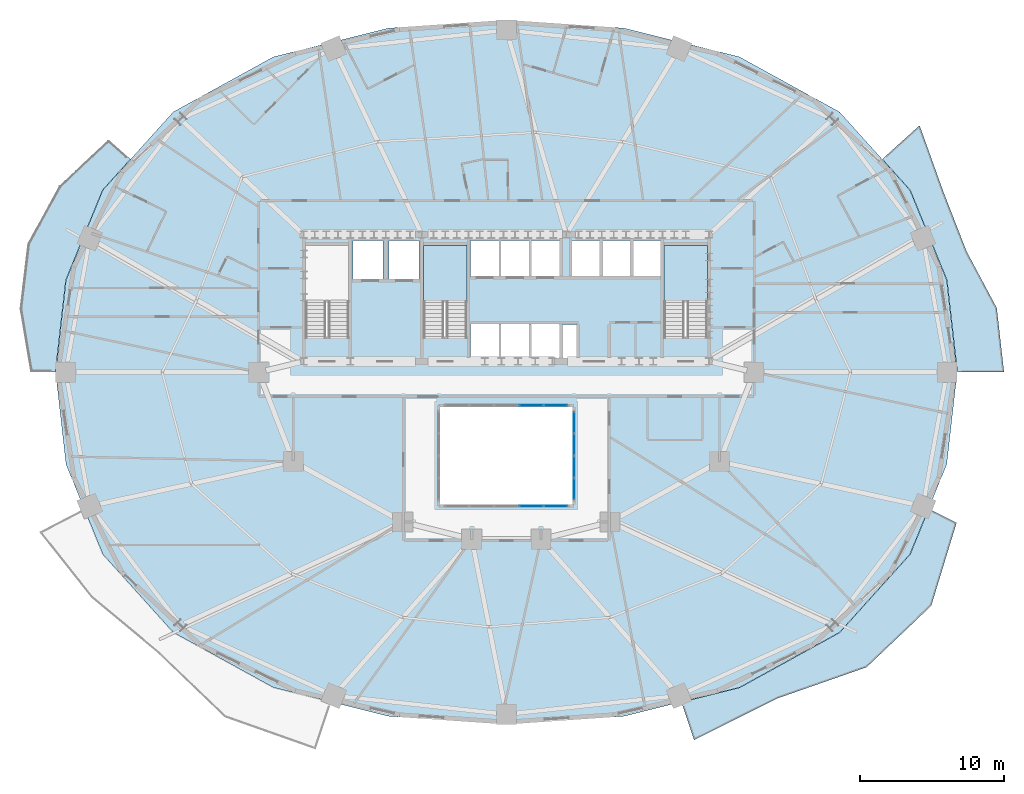
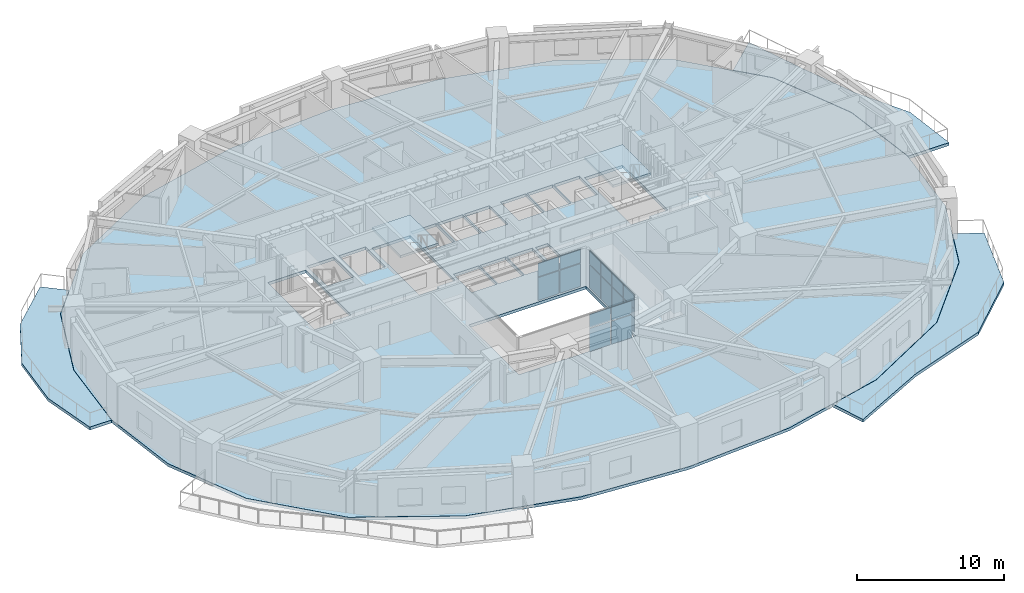
# One storey, part 8 of 17: 16 plates, 6 slabs, 5 elements without a shape of their own.
"""IFC4 building model written with IfcOpenShell, lengths in metres."""

from ifc_helpers import new_model, si_unit, direction, frame, origin, origin_2d, place, context, subcontext, project, spatial, polyline, rectangle, outline, extrude, material, layer, layer_set, type_object, element, aggregate, save


model = new_model("IFC4")

# Units and contexts
model_context = context("Model", 3, precision=1e-05, world=origin(), true_north=direction((0.0, 1.0)))
body_context = subcontext(model_context, "Body", "Model", "MODEL_VIEW")
ifc_project = project(units=[si_unit("LENGTHUNIT", "METRE"), si_unit("AREAUNIT", "SQUARE_METRE"), si_unit("VOLUMEUNIT", "CUBIC_METRE"), si_unit("PLANEANGLEUNIT", "RADIAN"), si_unit("MASSUNIT", "GRAM", prefix="KILO")], contexts=[model_context])

# Site, building, storey
site_placement = place(None, origin())
site = spatial("IfcSite", under=ifc_project, at=site_placement, CompositionType="ELEMENT")
building_placement = place(site_placement, origin())
building = spatial("IfcBuilding", under=site, at=building_placement, Name="Haldorwick Loom Tower", CompositionType="ELEMENT")
storey_placement = place(building_placement, frame((0.0, 0.0, 27.449951171875)))
storey = spatial("IfcBuildingStorey", under=building, at=storey_placement, Name="L06", CompositionType="ELEMENT", Elevation=27.449951171875)

# Curtain wall, plates
ifc_material_1 = material(Name="Thermally Broken Anodized Aluminium Curtain Wall Framing", Category="aluminium")
curtain_wall_type = type_object("IfcCurtainWallType", Name="ARC-CW-03", PredefinedType="NOTDEFINED", material=ifc_material_1)
curtain_wall_1_placement = place(storey_placement, origin())
curtain_wall_1 = element("IfcCurtainWall", 1, at=curtain_wall_1_placement, inside=storey, type_object=curtain_wall_type, Name="L06 Atrium Glazed Screen S", PredefinedType="NOTDEFINED")
ifc_material_2 = material(Name="Triple-Glazed Low-E Argon Insulated Glazing Unit", Category="glass")
ifc_layer_1 = layer(ifc_material_2, 0.04296875, Name="Triple-Glazed Low-E Argon Insulated Glazing Unit", Category="glass")
ifc_layer_set_1 = layer_set([ifc_layer_1], Name="Triple-Glazed Low-E Argon Insulated Glazing Unit")
plate_type = type_object("IfcPlateType", Name="ARC-CWP-03", PredefinedType="CURTAIN_PANEL", material=ifc_layer_set_1)
plate_1_placement = place(storey_placement, frame((39.423583984375, 16.699951171875, 0.066162109375), z_axis=(0.0, 0.0, 1.0), x_axis=(-1.0, 0.0, 0.0)))
plate_1 = element("IfcPlate", 2, at=plate_1_placement, type_object=plate_type, Name="CW-03 panel 1.1", PredefinedType="CURTAIN_PANEL", context=body_context, shape_type="SweptSolid", body=[
    extrude(rectangle(XDim=1.62109375, YDim=0.04296875, at=origin_2d()), origin(), (0.0, 0.0, 1.0), 1.90087890625),
])
plate_2_placement = place(storey_placement, frame((39.423583984375, 16.699951171875, 2.033203125), z_axis=(0.0, 0.0, 1.0), x_axis=(-1.0, 0.0, 0.0)))
plate_2 = element("IfcPlate", 3, at=plate_2_placement, type_object=plate_type, Name="CW-03 panel 1.2", PredefinedType="CURTAIN_PANEL", context=body_context, shape_type="SweptSolid", body=[
    extrude(rectangle(XDim=1.62109375, YDim=0.04296875, at=origin_2d()), origin(), (0.0, 0.0, 1.0), 1.111083984375),
])
plate_3_placement = place(storey_placement, frame((37.719970703125, 16.699951171875, 0.066162109375), z_axis=(0.0, 0.0, 1.0), x_axis=(-1.0, 0.0, 0.0)))
plate_3 = element("IfcPlate", 4, at=plate_3_placement, type_object=plate_type, Name="CW-03 panel 2.1", PredefinedType="CURTAIN_PANEL", context=body_context, shape_type="SweptSolid", body=[
    extrude(rectangle(XDim=1.654052734375, YDim=0.04296875, at=origin_2d()), origin(), (0.0, 0.0, 1.0), 1.90087890625),
])
plate_4_placement = place(storey_placement, frame((37.719970703125, 16.699951171875, 2.033203125), z_axis=(0.0, 0.0, 1.0), x_axis=(-1.0, 0.0, 0.0)))
plate_4 = element("IfcPlate", 5, at=plate_4_placement, type_object=plate_type, Name="CW-03 panel 2.2", PredefinedType="CURTAIN_PANEL", context=body_context, shape_type="SweptSolid", body=[
    extrude(rectangle(XDim=1.654052734375, YDim=0.04296875, at=origin_2d()), origin(), (0.0, 0.0, 1.0), 1.111083984375),
])
aggregate(curtain_wall_1, [plate_1, plate_2, plate_3, plate_4])

curtain_wall_2_placement = place(storey_placement, origin())
curtain_wall_2 = element("IfcCurtainWall", 6, at=curtain_wall_2_placement, inside=storey, type_object=curtain_wall_type, Name="L06 Atrium Glazed Screen N", PredefinedType="NOTDEFINED")
plate_5_placement = place(storey_placement, frame((37.719970703125, 23.699951171875, 0.066162109375), z_axis=(0.0, 0.0, 1.0), x_axis=(1.0, 0.0, 0.0)))
plate_5 = element("IfcPlate", 7, at=plate_5_placement, type_object=plate_type, Name="CW-03 panel 4.1", PredefinedType="CURTAIN_PANEL", context=body_context, shape_type="SweptSolid", body=[
    extrude(rectangle(XDim=1.654052734375, YDim=0.04296875, at=origin_2d()), origin(), (0.0, 0.0, 1.0), 1.90087890625),
])
plate_6_placement = place(storey_placement, frame((37.719970703125, 23.699951171875, 2.033203125), z_axis=(0.0, 0.0, 1.0), x_axis=(1.0, 0.0, 0.0)))
plate_6 = element("IfcPlate", 8, at=plate_6_placement, type_object=plate_type, Name="CW-03 panel 4.2", PredefinedType="CURTAIN_PANEL", context=body_context, shape_type="SweptSolid", body=[
    extrude(rectangle(XDim=1.654052734375, YDim=0.04296875, at=origin_2d()), origin(), (0.0, 0.0, 1.0), 1.111083984375),
])
plate_7_placement = place(storey_placement, frame((39.423583984375, 23.699951171875, 0.066162109375), z_axis=(0.0, 0.0, 1.0), x_axis=(1.0, 0.0, 0.0)))
plate_7 = element("IfcPlate", 9, at=plate_7_placement, type_object=plate_type, Name="CW-03 panel 5.1", PredefinedType="CURTAIN_PANEL", context=body_context, shape_type="SweptSolid", body=[
    extrude(rectangle(XDim=1.62109375, YDim=0.04296875, at=origin_2d()), origin(), (0.0, 0.0, 1.0), 1.90087890625),
])
plate_8_placement = place(storey_placement, frame((39.423583984375, 23.699951171875, 2.033203125), z_axis=(0.0, 0.0, 1.0), x_axis=(1.0, 0.0, 0.0)))
plate_8 = element("IfcPlate", 10, at=plate_8_placement, type_object=plate_type, Name="CW-03 panel 5.2", PredefinedType="CURTAIN_PANEL", context=body_context, shape_type="SweptSolid", body=[
    extrude(rectangle(XDim=1.62109375, YDim=0.04296875, at=origin_2d()), origin(), (0.0, 0.0, 1.0), 1.111083984375),
])
aggregate(curtain_wall_2, [plate_5, plate_6, plate_7, plate_8])

curtain_wall_3_placement = place(storey_placement, origin())
curtain_wall_3 = element("IfcCurtainWall", 11, at=curtain_wall_3_placement, inside=storey, type_object=curtain_wall_type, Name="L06 Atrium Glazed Screen E", PredefinedType="NOTDEFINED")
plate_9_placement = place(storey_placement, frame((40.699951171875, 22.508544921875, 0.066162109375), z_axis=(0.0, 0.0, 1.0), x_axis=(0.0, -1.0, 0.0)))
plate_9 = element("IfcPlate", 12, at=plate_9_placement, type_object=plate_type, Name="CW-03 panel 1.1", PredefinedType="CURTAIN_PANEL", context=body_context, shape_type="SweptSolid", body=[
    extrude(rectangle(XDim=1.450927734375, YDim=0.04296875, at=origin_2d()), origin(), (0.0, 0.0, 1.0), 1.90087890625),
])
plate_10_placement = place(storey_placement, frame((40.699951171875, 22.508544921875, 2.033203125), z_axis=(0.0, 0.0, 1.0), x_axis=(0.0, -1.0, 0.0)))
plate_10 = element("IfcPlate", 13, at=plate_10_placement, type_object=plate_type, Name="CW-03 panel 1.2", PredefinedType="CURTAIN_PANEL", context=body_context, shape_type="SweptSolid", body=[
    extrude(rectangle(XDim=1.450927734375, YDim=0.04296875, at=origin_2d()), origin(), (0.0, 0.0, 1.0), 1.111083984375),
])
plate_11_placement = place(storey_placement, frame((40.699951171875, 20.97509765625, 0.066162109375), z_axis=(0.0, 0.0, 1.0), x_axis=(0.0, -1.0, 0.0)))
plate_11 = element("IfcPlate", 14, at=plate_11_placement, type_object=plate_type, Name="CW-03 panel 2.1", PredefinedType="CURTAIN_PANEL", context=body_context, shape_type="SweptSolid", body=[
    extrude(rectangle(XDim=1.48388671875, YDim=0.04296875, at=origin_2d()), origin(), (0.0, 0.0, 1.0), 1.90087890625),
])
plate_12_placement = place(storey_placement, frame((40.699951171875, 20.97509765625, 2.033203125), z_axis=(0.0, 0.0, 1.0), x_axis=(0.0, -1.0, 0.0)))
plate_12 = element("IfcPlate", 15, at=plate_12_placement, type_object=plate_type, Name="CW-03 panel 2.2", PredefinedType="CURTAIN_PANEL", context=body_context, shape_type="SweptSolid", body=[
    extrude(rectangle(XDim=1.48388671875, YDim=0.04296875, at=origin_2d()), origin(), (0.0, 0.0, 1.0), 1.111083984375),
])
plate_13_placement = place(storey_placement, frame((40.699951171875, 19.425048828125, 0.066162109375), z_axis=(0.0, 0.0, 1.0), x_axis=(0.0, -1.0, 0.0)))
plate_13 = element("IfcPlate", 16, at=plate_13_placement, type_object=plate_type, Name="CW-03 panel 3.1", PredefinedType="CURTAIN_PANEL", context=body_context, shape_type="SweptSolid", body=[
    extrude(rectangle(XDim=1.48388671875, YDim=0.04296875, at=origin_2d()), origin(), (0.0, 0.0, 1.0), 1.90087890625),
])
plate_14_placement = place(storey_placement, frame((40.699951171875, 19.425048828125, 2.033203125), z_axis=(0.0, 0.0, 1.0), x_axis=(0.0, -1.0, 0.0)))
plate_14 = element("IfcPlate", 17, at=plate_14_placement, type_object=plate_type, Name="CW-03 panel 3.2", PredefinedType="CURTAIN_PANEL", context=body_context, shape_type="SweptSolid", body=[
    extrude(rectangle(XDim=1.48388671875, YDim=0.04296875, at=origin_2d()), origin(), (0.0, 0.0, 1.0), 1.111083984375),
])
plate_15_placement = place(storey_placement, frame((40.699951171875, 17.8916015625, 0.066162109375), z_axis=(0.0, 0.0, 1.0), x_axis=(0.0, -1.0, 0.0)))
plate_15 = element("IfcPlate", 18, at=plate_15_placement, type_object=plate_type, Name="CW-03 panel 4.1", PredefinedType="CURTAIN_PANEL", context=body_context, shape_type="SweptSolid", body=[
    extrude(rectangle(XDim=1.450927734375, YDim=0.04296875, at=origin_2d()), origin(), (0.0, 0.0, 1.0), 1.90087890625),
])
plate_16_placement = place(storey_placement, frame((40.699951171875, 17.8916015625, 2.033203125), z_axis=(0.0, 0.0, 1.0), x_axis=(0.0, -1.0, 0.0)))
plate_16 = element("IfcPlate", 19, at=plate_16_placement, type_object=plate_type, Name="CW-03 panel 4.2", PredefinedType="CURTAIN_PANEL", context=body_context, shape_type="SweptSolid", body=[
    extrude(rectangle(XDim=1.450927734375, YDim=0.04296875, at=origin_2d()), origin(), (0.0, 0.0, 1.0), 1.111083984375),
])
aggregate(curtain_wall_3, [plate_9, plate_10, plate_11, plate_12, plate_13, plate_14, plate_15, plate_16])

# Slabs
ifc_material_3 = material(Name="Concrete C40 (40 MPa)", Category="concrete")
ifc_layer_2 = layer(ifc_material_3, 0.239990234375, Name="Concrete C40 (40 MPa)", Category="concrete")
ifc_layer_set_2 = layer_set([ifc_layer_2], Name="Concrete C40 (40 MPa)")
slab_type_1 = type_object("IfcSlabType", Name="STR-SLB-BAL240", PredefinedType="FLOOR", material=ifc_layer_set_2)
slab_1_placement = place(storey_placement, frame((0.0, 0.0, -0.239990234375)))
element("IfcSlab", 20, at=slab_1_placement, inside=storey, type_object=slab_type_1, Name="L06 Sinusoidal Balcony Terrace BAL_SE", PredefinedType="FLOOR", context=body_context, shape_type="SweptSolid", body=[
    extrude(outline(polyline([(65.32470703125, 16.51806640625), (64.031494140625, 13.356689453125), (64.031005859375, 13.355712890625), (64.030517578125, 13.3544921875), (64.02978515625, 13.353515625), (64.02880859375, 13.3525390625), (59.13623046875, 7.92333984375), (59.13525390625, 7.922119140625), (59.1337890625, 7.921142578125), (59.13232421875, 7.92041015625), (52.18310546875, 4.09814453125), (52.18212890625, 4.097412109375), (52.180908203125, 4.096923828125), (52.1796875, 4.0966796875), (48.15234375, 3.091064453125), (49.03271484375, 0.4716796875), (54.848876953125, 3.368896484375), (61.010009765625, 5.52099609375), (65.49072265625, 9.7822265625), (67.24951171875, 15.539306640625), (65.32470703125, 16.51806640625)])), origin(), (0.0, 0.0, 1.0), 0.239990234375),
])
slab_2_placement = place(storey_placement, frame((0.0, 0.0, -0.239990234375)))
element("IfcSlab", 21, at=slab_2_placement, inside=storey, type_object=slab_type_1, Name="L06 Sinusoidal Balcony Terrace BAL_WNW", PredefinedType="FLOOR", context=body_context, shape_type="SweptSolid", body=[
    extrude(outline(polyline([(4.68896484375, 26.0), (4.689208984375, 26.001708984375), (5.41552734375, 32.40087890625), (5.415771484375, 32.40234375), (5.416015625, 32.40380859375), (5.41650390625, 32.405029296875), (7.968505859375, 38.643310546875), (7.968994140625, 38.644287109375), (7.969482421875, 38.6455078125), (7.97021484375, 38.646484375), (7.97119140625, 38.6474609375), (9.90087890625, 40.788818359375), (8.386474609375, 42.1318359375), (4.966552734375, 38.94482421875), (2.772216796875, 34.9208984375), (2.2333984375, 30.393310546875), (2.9775390625, 26.0), (4.68896484375, 26.0)])), origin(), (0.0, 0.0, 1.0), 0.239990234375),
])
slab_3_placement = place(storey_placement, frame((0.0, 0.0, -0.239990234375)))
element("IfcSlab", 22, at=slab_3_placement, inside=storey, type_object=slab_type_1, Name="L06 Sinusoidal Balcony Terrace BAL_ENE", PredefinedType="FLOOR", context=body_context, shape_type="SweptSolid", body=[
    extrude(outline(polyline([(62.098388671875, 40.789794921875), (64.02880859375, 38.6474609375), (64.02978515625, 38.646484375), (64.030517578125, 38.6455078125), (64.031005859375, 38.644287109375), (64.031494140625, 38.643310546875), (66.58349609375, 32.405029296875), (66.583984375, 32.40380859375), (66.584228515625, 32.40234375), (66.58447265625, 32.40087890625), (67.310791015625, 26.001708984375), (67.31103515625, 26.0), (70.5458984375, 26.0), (70.043701171875, 30.449462890625), (67.945556640625, 34.3876953125), (66.34619140625, 38.49658203125), (64.68408203125, 43.12744140625), (62.098388671875, 40.789794921875)])), origin(), (0.0, 0.0, 1.0), 0.239990234375),
])

# Stair, slab
stair_type = type_object("IfcStairType", Name="STR-STR-CORE", PredefinedType="HALF_TURN_STAIR", material=ifc_material_3)
stair_1_placement = place(storey_placement, origin())
stair_1 = element("IfcStair", 23, at=stair_1_placement, inside=storey, type_object=stair_type, Name="L06 Exit Stair ST-02", PredefinedType="HALF_TURN_STAIR")
ifc_layer_3 = layer(ifc_material_3, 0.199951171875, Name="Concrete C40 (40 MPa)", Category="concrete")
ifc_layer_set_3 = layer_set([ifc_layer_3], Name="Concrete C40 (40 MPa)")
slab_type_2 = type_object("IfcSlabType", Name="STR-SLB-LAND200", PredefinedType="LANDING", material=ifc_layer_set_3)
slab_4_placement = place(storey_placement, frame((0.0, 0.0, 1.525146484375)))
slab_4 = element("IfcSlab", 24, at=slab_4_placement, type_object=slab_type_2, Name="ST-02 landing 1", PredefinedType="LANDING", context=body_context, shape_type="SweptSolid", body=[
    extrude(outline(polyline([(49.949951171875, 30.919921875), (49.949951171875, 34.800048828125), (46.949951171875, 34.800048828125), (46.949951171875, 30.919921875), (49.949951171875, 30.919921875)])), origin(), (0.0, 0.0, 1.0), 0.199951171875),
])
aggregate(stair_1, [slab_4])

stair_2_placement = place(storey_placement, origin())
stair_2 = element("IfcStair", 25, at=stair_2_placement, inside=storey, type_object=stair_type, Name="L06 Exit Stair ST-03", PredefinedType="HALF_TURN_STAIR")
slab_5_placement = place(storey_placement, frame((0.0, 0.0, 1.525146484375)))
slab_5 = element("IfcSlab", 26, at=slab_5_placement, type_object=slab_type_2, Name="ST-03 landing 1", PredefinedType="LANDING", context=body_context, shape_type="SweptSolid", body=[
    extrude(outline(polyline([(33.25, 30.919921875), (33.25, 34.800048828125), (30.25, 34.800048828125), (30.25, 30.919921875), (33.25, 30.919921875)])), origin(), (0.0, 0.0, 1.0), 0.199951171875),
])
aggregate(stair_2, [slab_5])

# Slab
ifc_layer_4 = layer(ifc_material_3, 0.239990234375, Name="Concrete C40 (40 MPa)", Category="concrete")
ifc_layer_set_4 = layer_set([ifc_layer_4], Name="Concrete C40 (40 MPa)")
slab_type_3 = type_object("IfcSlabType", Name="STR-SLB-RES240", PredefinedType="FLOOR", material=ifc_layer_set_4)
slab_6_placement = place(storey_placement, frame((0.0, 0.0, -0.239990234375)))
element("IfcSlab", 27, at=slab_6_placement, inside=storey, type_object=slab_type_3, Name="L06 Residential Structural Floor Slab", PredefinedType="FLOOR", context=body_context, shape_type="SweptSolid", body=[
    extrude(outline(polyline([(59.125244140625, 7.933349609375), (64.017578125, 13.362548828125), (66.569580078125, 19.6005859375), (67.2958984375, 26.0), (66.569580078125, 32.3994140625), (64.017578125, 38.637451171875), (59.125244140625, 44.066650390625), (52.176025390625, 47.888916015625), (44.191162109375, 49.882568359375), (36.0, 50.449951171875), (27.808837890625, 49.882568359375), (19.823974609375, 47.888916015625), (12.874755859375, 44.066650390625), (7.982421875, 38.637451171875), (5.430419921875, 32.3994140625), (4.7041015625, 26.0), (5.430419921875, 19.6005859375), (7.982421875, 13.362548828125), (12.874755859375, 7.933349609375), (19.823974609375, 4.111083984375), (27.808837890625, 2.117431640625), (36.0, 1.550048828125), (44.191162109375, 2.117431640625), (52.176025390625, 4.111083984375), (59.125244140625, 7.933349609375)]), holes=[polyline([(31.39990234375, 23.60009765625), (40.60009765625, 23.60009765625), (40.60009765625, 16.800048828125), (31.39990234375, 16.800048828125), (31.39990234375, 23.60009765625)]), polyline([(33.5, 26.85009765625), (33.5, 29.35009765625), (35.5, 29.35009765625), (35.5, 26.85009765625), (33.5, 26.85009765625)]), polyline([(22.050048828125, 28.39990234375), (22.050048828125, 34.800048828125), (25.050048828125, 34.800048828125), (25.050048828125, 28.639892578125), (23.6201171875, 28.639892578125), (23.6201171875, 28.39990234375), (22.050048828125, 28.39990234375)]), polyline([(30.25, 28.39990234375), (30.25, 34.800048828125), (33.25, 34.800048828125), (33.25, 28.639892578125), (31.820068359375, 28.639892578125), (31.820068359375, 28.39990234375), (30.25, 28.39990234375)]), polyline([(25.35009765625, 32.449951171875), (25.35009765625, 35.14990234375), (27.449951171875, 35.14990234375), (27.449951171875, 32.449951171875), (25.35009765625, 32.449951171875)]), polyline([(27.85009765625, 32.449951171875), (27.85009765625, 35.14990234375), (29.949951171875, 35.14990234375), (29.949951171875, 32.449951171875), (27.85009765625, 32.449951171875)]), polyline([(33.5, 32.64990234375), (33.5, 35.14990234375), (35.5, 35.14990234375), (35.5, 32.64990234375), (33.5, 32.64990234375)]), polyline([(35.60009765625, 32.64990234375), (35.60009765625, 35.14990234375), (37.60009765625, 35.14990234375), (37.60009765625, 32.64990234375), (35.60009765625, 32.64990234375)]), polyline([(35.60009765625, 26.85009765625), (35.60009765625, 29.35009765625), (37.60009765625, 29.35009765625), (37.60009765625, 26.85009765625), (35.60009765625, 26.85009765625)]), polyline([(37.699951171875, 26.85009765625), (37.699951171875, 29.35009765625), (39.699951171875, 29.35009765625), (39.699951171875, 26.85009765625), (37.699951171875, 26.85009765625)]), polyline([(39.89990234375, 26.89990234375), (39.89990234375, 29.300048828125), (40.89990234375, 29.300048828125), (40.89990234375, 26.89990234375), (39.89990234375, 26.89990234375)]), polyline([(46.949951171875, 28.39990234375), (46.949951171875, 34.800048828125), (49.949951171875, 34.800048828125), (49.949951171875, 28.639892578125), (48.52001953125, 28.639892578125), (48.52001953125, 28.39990234375), (46.949951171875, 28.39990234375)]), polyline([(37.699951171875, 32.64990234375), (37.699951171875, 35.14990234375), (39.699951171875, 35.14990234375), (39.699951171875, 32.64990234375), (37.699951171875, 32.64990234375)]), polyline([(40.550048828125, 32.64990234375), (40.550048828125, 35.14990234375), (42.550048828125, 35.14990234375), (42.550048828125, 32.64990234375), (40.550048828125, 32.64990234375)]), polyline([(42.64990234375, 32.64990234375), (42.64990234375, 35.14990234375), (44.64990234375, 35.14990234375), (44.64990234375, 32.64990234375), (42.64990234375, 32.64990234375)]), polyline([(44.75, 32.64990234375), (44.75, 35.14990234375), (46.75, 35.14990234375), (46.75, 32.64990234375), (44.75, 32.64990234375)])]), origin(), (0.0, 0.0, 1.0), 0.239990234375),
])

save(model, "model.ifc")
